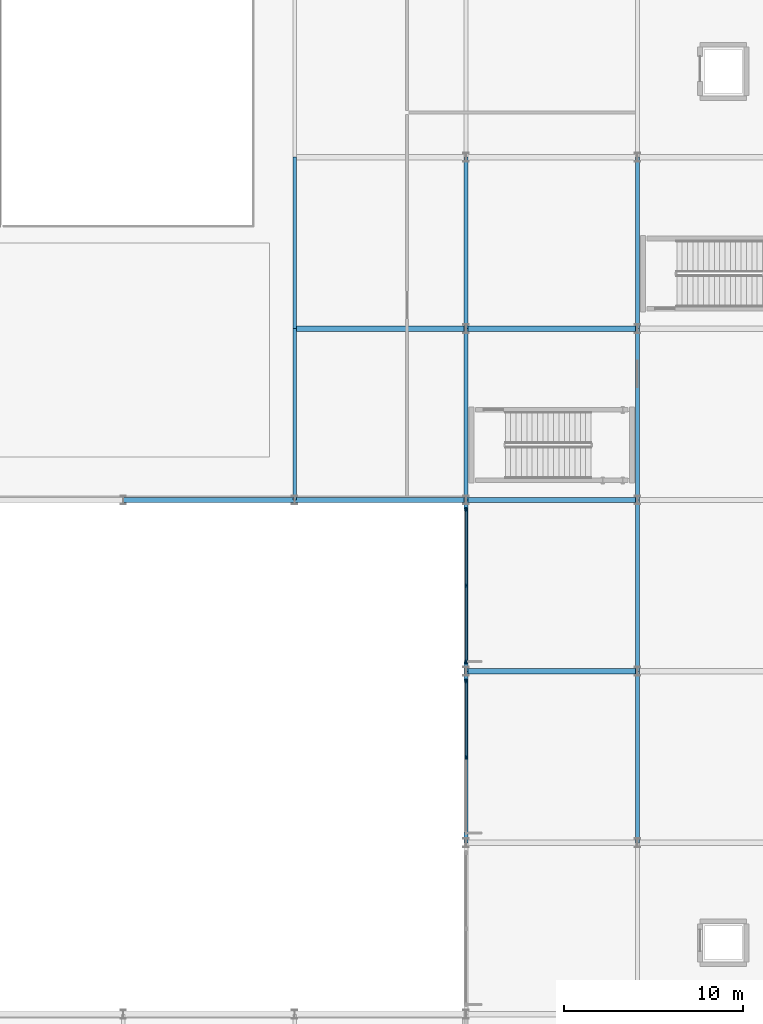
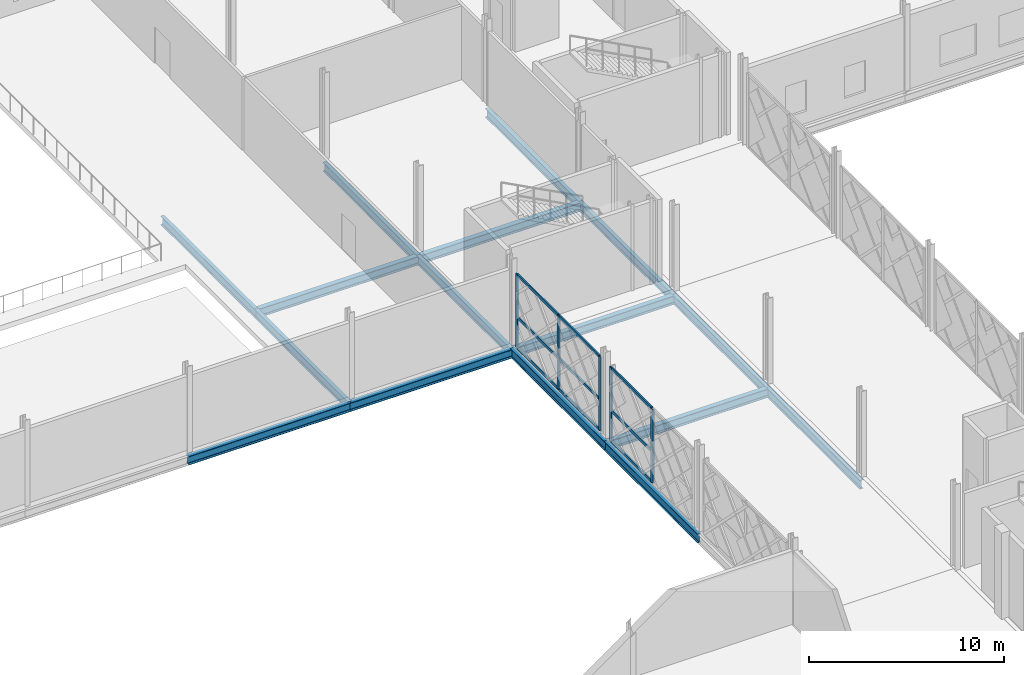
# One storey, part 35 of 84: 16 beams, 14 members, 2 elements without a shape of their own.
"""IFC4 building model written with IfcOpenShell, lengths in metres."""

from ifc_helpers import new_model, si_unit, direction, frame, origin, origin_2d, place, context, subcontext, project, spatial, rectangle, i_section, extrude, material, layer, layer_set, material_profile, profile_set, type_object, element, aggregate, save


model = new_model("IFC4")

# Units and contexts
model_context = context("Model", 3, precision=1e-05, world=origin(), true_north=direction((0.0, 1.0)))
body_context = subcontext(model_context, "Body", "Model", "MODEL_VIEW")
ifc_project = project(units=[si_unit("LENGTHUNIT", "METRE"), si_unit("AREAUNIT", "SQUARE_METRE"), si_unit("VOLUMEUNIT", "CUBIC_METRE"), si_unit("PLANEANGLEUNIT", "RADIAN"), si_unit("MASSUNIT", "GRAM", prefix="KILO")], contexts=[model_context])

# Site, building, storey
site_placement = place(None, origin())
site = spatial("IfcSite", under=ifc_project, at=site_placement, CompositionType="ELEMENT")
building_placement = place(site_placement, origin())
building = spatial("IfcBuilding", under=site, at=building_placement, Name="Zevrakil Square Congress Hotel", CompositionType="ELEMENT")
storey_placement = place(building_placement, origin())
storey = spatial("IfcBuildingStorey", under=building, at=storey_placement, Name="L01", CompositionType="ELEMENT", Elevation=0.0)

# Beams
ifc_material_1 = material(Name="Steel S355", Category="steel")
ifc_material_profile_1 = material_profile(ifc_material_1, i_section(OverallWidth=0.300048828125, OverallDepth=0.5400390625, WebThickness=0.012451171875, FlangeThickness=0.02392578125, FilletRadius=0.027099609375, at=origin_2d()), Name="HEA 550")
ifc_profile_set_1 = profile_set([ifc_material_profile_1], Name="Steel S355")
beam_type_1 = type_object("IfcBeamType", Name="BM-HEA550", PredefinedType="BEAM", material=ifc_profile_set_1)
beam_1_placement = place(storey_placement, frame((45.60009765625, 64.800048828125, -0.590087890625), z_axis=(1.0, 0.0, 0.0), x_axis=(0.0, 1.0, 0.0)))
element("IfcBeam", 1, at=beam_1_placement, inside=storey, type_object=beam_type_1, Name="L01 primary girder BX-0370", PredefinedType="BEAM", context=body_context, shape_type="SweptSolid", body=[
    extrude(i_section(OverallWidth=0.300048828125, OverallDepth=0.5400390625, WebThickness=0.012451171875, FlangeThickness=0.02392578125, FilletRadius=0.027099609375, at=origin_2d()), origin(), (0.0, 0.0, 1.0), 9.599853515625),
])
for number, where, z_axis, x_axis, name in (
    (2, (26.39990234375, 74.39990234375, -0.590087890625), (1.0, 0.0, 0.0), (0.0, 1.0, 0.0), "L01 primary girder BX-0382"),
    (3, (36.0, 74.39990234375, -0.590087890625), (1.0, 0.0, 0.0), (0.0, 1.0, 0.0), "L01 primary girder BX-0383"),
):
    element("IfcBeam", number, at=place(storey_placement, frame(where, z_axis=z_axis, x_axis=x_axis)), inside=storey, type_object=beam_type_1, Name=name, PredefinedType="BEAM", context=body_context, shape_type="SweptSolid", body=[
        extrude(i_section(OverallWidth=0.300048828125, OverallDepth=0.5400390625, WebThickness=0.012451171875, FlangeThickness=0.02392578125, FilletRadius=0.027099609375, at=origin_2d()), origin(), (0.0, 0.0, 1.0), 9.60009765625),
    ])
beam_2_placement = place(storey_placement, frame((45.60009765625, 74.39990234375, -0.590087890625), z_axis=(1.0, 0.0, 0.0), x_axis=(0.0, 1.0, 0.0)))
element("IfcBeam", 4, at=beam_2_placement, inside=storey, type_object=beam_type_1, Name="L01 primary girder BX-0384", PredefinedType="BEAM", context=body_context, shape_type="SweptSolid", body=[
    extrude(i_section(OverallWidth=0.300048828125, OverallDepth=0.5400390625, WebThickness=0.012451171875, FlangeThickness=0.02392578125, FilletRadius=0.027099609375, at=origin_2d()), origin(), (0.0, 0.0, 1.0), 9.599853515625),
])
beam_3_placement = place(storey_placement, frame((36.0, 84.0, -0.590087890625), z_axis=(1.0, 0.0, 0.0), x_axis=(0.0, 1.0, 0.0)))
element("IfcBeam", 5, at=beam_3_placement, inside=storey, type_object=beam_type_1, Name="L01 primary girder BX-0389", PredefinedType="BEAM", context=body_context, shape_type="SweptSolid", body=[
    extrude(i_section(OverallWidth=0.300048828125, OverallDepth=0.5400390625, WebThickness=0.012451171875, FlangeThickness=0.02392578125, FilletRadius=0.027099609375, at=origin_2d()), origin(), (0.0, 0.0, 1.0), 9.60009765625),
])
beam_4_placement = place(storey_placement, frame((45.60009765625, 84.0, -0.590087890625), z_axis=(1.0, 0.0, 0.0), x_axis=(0.0, 1.0, 0.0)))
element("IfcBeam", 6, at=beam_4_placement, inside=storey, type_object=beam_type_1, Name="L01 primary girder BX-0390", PredefinedType="BEAM", context=body_context, shape_type="SweptSolid", body=[
    extrude(i_section(OverallWidth=0.300048828125, OverallDepth=0.5400390625, WebThickness=0.012451171875, FlangeThickness=0.02392578125, FilletRadius=0.027099609375, at=origin_2d()), origin(), (0.0, 0.0, 1.0), 9.599853515625),
])
ifc_material_2 = material(Name="Steel S355", Category="steel")
ifc_material_profile_2 = material_profile(ifc_material_2, i_section(OverallWidth=0.2099609375, OverallDepth=0.550048828125, WebThickness=0.010986328125, FlangeThickness=0.01708984375, FilletRadius=0.02392578125, at=origin_2d()), Name="IPE 550")
ifc_profile_set_2 = profile_set([ifc_material_profile_2], Name="Steel S355")
beam_type_2 = type_object("IfcBeamType", Name="BM-IPE550", PredefinedType="BEAM", material=ifc_profile_set_2)
for number, where, z_axis, x_axis, name in (
    (7, (36.0, 74.39990234375, -0.594970703125), (0.0, 1.0, 0.0), (-1.0, 0.0, 0.0), "L01 primary girder BY-0500"),
    (8, (36.0, 84.0, -0.594970703125), (0.0, 1.0, 0.0), (-1.0, 0.0, 0.0), "L01 primary girder BY-0501"),
    (9, (45.60009765625, 55.199951171875, -0.594970703125), (0.0, 1.0, 0.0), (-1.0, 0.0, 0.0), "L01 primary girder BY-0511"),
):
    element("IfcBeam", number, at=place(storey_placement, frame(where, z_axis=z_axis, x_axis=x_axis)), inside=storey, type_object=beam_type_2, Name=name, PredefinedType="BEAM", context=body_context, shape_type="SweptSolid", body=[
        extrude(i_section(OverallWidth=0.2099609375, OverallDepth=0.550048828125, WebThickness=0.010986328125, FlangeThickness=0.01708984375, FilletRadius=0.02392578125, at=origin_2d()), origin(), (0.0, 0.0, 1.0), 9.60009765625),
    ])
beam_5_placement = place(storey_placement, frame((45.60009765625, 64.800048828125, -0.594970703125), z_axis=(0.0, 1.0, 0.0), x_axis=(-1.0, 0.0, 0.0)))
element("IfcBeam", 10, at=beam_5_placement, inside=storey, type_object=beam_type_2, Name="L01 primary girder BY-0512", PredefinedType="BEAM", context=body_context, shape_type="SweptSolid", body=[
    extrude(i_section(OverallWidth=0.2099609375, OverallDepth=0.550048828125, WebThickness=0.010986328125, FlangeThickness=0.01708984375, FilletRadius=0.02392578125, at=origin_2d()), origin(), (0.0, 0.0, 1.0), 9.599853515625),
])
for number, where, z_axis, x_axis, name in (
    (11, (45.60009765625, 74.39990234375, -0.594970703125), (0.0, 1.0, 0.0), (-1.0, 0.0, 0.0), "L01 primary girder BY-0513"),
    (12, (45.60009765625, 84.0, -0.594970703125), (0.0, 1.0, 0.0), (-1.0, 0.0, 0.0), "L01 primary girder BY-0514"),
    (13, (55.199951171875, 55.199951171875, -0.594970703125), (0.0, 1.0, 0.0), (-1.0, 0.0, 0.0), "L01 primary girder BY-0528"),
):
    element("IfcBeam", number, at=place(storey_placement, frame(where, z_axis=z_axis, x_axis=x_axis)), inside=storey, type_object=beam_type_2, Name=name, PredefinedType="BEAM", context=body_context, shape_type="SweptSolid", body=[
        extrude(i_section(OverallWidth=0.2099609375, OverallDepth=0.550048828125, WebThickness=0.010986328125, FlangeThickness=0.01708984375, FilletRadius=0.02392578125, at=origin_2d()), origin(), (0.0, 0.0, 1.0), 9.60009765625),
    ])
beam_6_placement = place(storey_placement, frame((55.199951171875, 64.800048828125, -0.594970703125), z_axis=(0.0, 1.0, 0.0), x_axis=(-1.0, 0.0, 0.0)))
element("IfcBeam", 14, at=beam_6_placement, inside=storey, type_object=beam_type_2, Name="L01 primary girder BY-0529", PredefinedType="BEAM", context=body_context, shape_type="SweptSolid", body=[
    extrude(i_section(OverallWidth=0.2099609375, OverallDepth=0.550048828125, WebThickness=0.010986328125, FlangeThickness=0.01708984375, FilletRadius=0.02392578125, at=origin_2d()), origin(), (0.0, 0.0, 1.0), 9.599853515625),
])
for number, where, z_axis, x_axis, name in (
    (15, (55.199951171875, 74.39990234375, -0.594970703125), (0.0, 1.0, 0.0), (-1.0, 0.0, 0.0), "L01 primary girder BY-0530"),
    (16, (55.199951171875, 84.0, -0.594970703125), (0.0, 1.0, 0.0), (-1.0, 0.0, 0.0), "L01 primary girder BY-0531"),
):
    element("IfcBeam", number, at=place(storey_placement, frame(where, z_axis=z_axis, x_axis=x_axis)), inside=storey, type_object=beam_type_2, Name=name, PredefinedType="BEAM", context=body_context, shape_type="SweptSolid", body=[
        extrude(i_section(OverallWidth=0.2099609375, OverallDepth=0.550048828125, WebThickness=0.010986328125, FlangeThickness=0.01708984375, FilletRadius=0.02392578125, at=origin_2d()), origin(), (0.0, 0.0, 1.0), 9.60009765625),
    ])

# Curtain wall, members
ifc_material_3 = material(Name="Aluminium Anodised Bronze", Category="aluminium")
ifc_layer = layer(ifc_material_3, 0.179931640625)
ifc_layer_set = layer_set([ifc_layer], Name="Aluminium Anodised Bronze")
curtain_wall_type = type_object("IfcCurtainWallType", Name="CW-L01-840", PredefinedType="USERDEFINED", material=ifc_layer_set)
curtain_wall_1_placement = place(storey_placement, origin())
curtain_wall_1 = element("IfcCurtainWall", 17, at=curtain_wall_1_placement, inside=storey, type_object=curtain_wall_type, Name="L01 diamond curtain wall CW-L01-0024", ObjectType="GLAZED CURTAIN WALL", PredefinedType="USERDEFINED")
ifc_material_4 = material(Name="Aluminium Anodised Bronze", Category="aluminium")
ifc_material_profile_3 = material_profile(ifc_material_4, rectangle(XDim=0.0849609375, YDim=0.179931640625, at=origin_2d()), Name="ALU 85x180")
ifc_profile_set_3 = profile_set([ifc_material_profile_3], Name="Aluminium Anodised Bronze")
member_type_1 = type_object("IfcMemberType", Name="CWM-ALU85x180", PredefinedType="USERDEFINED", material=ifc_profile_set_3)
member_1_placement = place(storey_placement, frame((45.60009765625, 60.030029296875, 0.030029296875), z_axis=(0.0, 1.0, 0.0), x_axis=(-1.0, 0.0, 0.0)))
member_1 = element("IfcMember", 18, at=member_1_placement, type_object=member_type_1, Name="CW-11 transom 2.1", ObjectType="TRANSOM", PredefinedType="USERDEFINED", context=body_context, shape_type="SweptSolid", body=[
    extrude(rectangle(XDim=0.0849609375, YDim=0.179931640625, at=origin_2d()), origin(), (0.0, 0.0, 1.0), 4.18994140625),
])
member_2_placement = place(storey_placement, frame((45.60009765625, 60.030029296875, 1.9423828125), z_axis=(0.0, 1.0, 0.0), x_axis=(-1.0, 0.0, 0.0)))
member_2 = element("IfcMember", 19, at=member_2_placement, type_object=member_type_1, Name="CW-11 transom 2.2", ObjectType="TRANSOM", PredefinedType="USERDEFINED", context=body_context, shape_type="SweptSolid", body=[
    extrude(rectangle(XDim=0.0849609375, YDim=0.179931640625, at=origin_2d()), origin(), (0.0, 0.0, 1.0), 4.18994140625),
])
member_3_placement = place(storey_placement, frame((45.60009765625, 60.030029296875, 4.594970703125), z_axis=(0.0, 1.0, 0.0), x_axis=(-1.0, 0.0, 0.0)))
member_3 = element("IfcMember", 20, at=member_3_placement, type_object=member_type_1, Name="CW-11 transom 2.3", ObjectType="TRANSOM", PredefinedType="USERDEFINED", context=body_context, shape_type="SweptSolid", body=[
    extrude(rectangle(XDim=0.0849609375, YDim=0.179931640625, at=origin_2d()), origin(), (0.0, 0.0, 1.0), 4.18994140625),
])

curtain_wall_2_placement = place(storey_placement, origin())
curtain_wall_2 = element("IfcCurtainWall", 21, at=curtain_wall_2_placement, inside=storey, type_object=curtain_wall_type, Name="L01 diamond curtain wall CW-L01-0026", ObjectType="GLAZED CURTAIN WALL", PredefinedType="USERDEFINED")
member_4_placement = place(storey_placement, frame((45.60009765625, 65.3798828125, 0.030029296875), z_axis=(0.0, 1.0, 0.0), x_axis=(-1.0, 0.0, 0.0)))
member_4 = element("IfcMember", 22, at=member_4_placement, type_object=member_type_1, Name="CW-11 transom 1.1", ObjectType="TRANSOM", PredefinedType="USERDEFINED", context=body_context, shape_type="SweptSolid", body=[
    extrude(rectangle(XDim=0.0849609375, YDim=0.179931640625, at=origin_2d()), origin(), (0.0, 0.0, 1.0), 4.190185546875),
])
member_5_placement = place(storey_placement, frame((45.60009765625, 65.3798828125, 1.9423828125), z_axis=(0.0, 1.0, 0.0), x_axis=(-1.0, 0.0, 0.0)))
member_5 = element("IfcMember", 23, at=member_5_placement, type_object=member_type_1, Name="CW-11 transom 1.2", ObjectType="TRANSOM", PredefinedType="USERDEFINED", context=body_context, shape_type="SweptSolid", body=[
    extrude(rectangle(XDim=0.0849609375, YDim=0.179931640625, at=origin_2d()), origin(), (0.0, 0.0, 1.0), 4.190185546875),
])
member_6_placement = place(storey_placement, frame((45.60009765625, 65.3798828125, 4.594970703125), z_axis=(0.0, 1.0, 0.0), x_axis=(-1.0, 0.0, 0.0)))
member_6 = element("IfcMember", 24, at=member_6_placement, type_object=member_type_1, Name="CW-11 transom 1.3", ObjectType="TRANSOM", PredefinedType="USERDEFINED", context=body_context, shape_type="SweptSolid", body=[
    extrude(rectangle(XDim=0.0849609375, YDim=0.179931640625, at=origin_2d()), origin(), (0.0, 0.0, 1.0), 4.190185546875),
])
member_7_placement = place(storey_placement, frame((45.60009765625, 69.6298828125, 0.030029296875), z_axis=(0.0, 1.0, 0.0), x_axis=(-1.0, 0.0, 0.0)))
member_7 = element("IfcMember", 25, at=member_7_placement, type_object=member_type_1, Name="CW-11 transom 2.1", ObjectType="TRANSOM", PredefinedType="USERDEFINED", context=body_context, shape_type="SweptSolid", body=[
    extrude(rectangle(XDim=0.0849609375, YDim=0.179931640625, at=origin_2d()), origin(), (0.0, 0.0, 1.0), 4.190185546875),
])
member_8_placement = place(storey_placement, frame((45.60009765625, 69.6298828125, 1.9423828125), z_axis=(0.0, 1.0, 0.0), x_axis=(-1.0, 0.0, 0.0)))
member_8 = element("IfcMember", 26, at=member_8_placement, type_object=member_type_1, Name="CW-11 transom 2.2", ObjectType="TRANSOM", PredefinedType="USERDEFINED", context=body_context, shape_type="SweptSolid", body=[
    extrude(rectangle(XDim=0.0849609375, YDim=0.179931640625, at=origin_2d()), origin(), (0.0, 0.0, 1.0), 4.190185546875),
])
member_9_placement = place(storey_placement, frame((45.60009765625, 69.6298828125, 4.594970703125), z_axis=(0.0, 1.0, 0.0), x_axis=(-1.0, 0.0, 0.0)))
member_9 = element("IfcMember", 27, at=member_9_placement, type_object=member_type_1, Name="CW-11 transom 2.3", ObjectType="TRANSOM", PredefinedType="USERDEFINED", context=body_context, shape_type="SweptSolid", body=[
    extrude(rectangle(XDim=0.0849609375, YDim=0.179931640625, at=origin_2d()), origin(), (0.0, 0.0, 1.0), 4.190185546875),
])

# Member
ifc_material_5 = material(Name="Aluminium Anodised Bronze", Category="aluminium")
ifc_material_profile_4 = material_profile(ifc_material_5, rectangle(XDim=0.0849609375, YDim=0.219970703125, at=origin_2d()), Name="ALU 85x220")
ifc_profile_set_4 = profile_set([ifc_material_profile_4], Name="Aluminium Anodised Bronze")
member_type_2 = type_object("IfcMemberType", Name="CWM-ALU85x220", PredefinedType="MULLION", material=ifc_profile_set_4)
member_10_placement = place(storey_placement, frame((45.60009765625, 60.0, 0.0), z_axis=(0.0, 0.0, 1.0), x_axis=(-1.0, 0.0, 0.0)))
member_10 = element("IfcMember", 28, at=member_10_placement, type_object=member_type_2, Name="CW-11 mullion 2", PredefinedType="MULLION", context=body_context, shape_type="SweptSolid", body=[
    extrude(rectangle(XDim=0.0849609375, YDim=0.219970703125, at=origin_2d()), origin(), (0.0, 0.0, 1.0), 4.625),
])

member_11_placement = place(storey_placement, frame((45.60009765625, 64.25, 0.0), z_axis=(0.0, 0.0, 1.0), x_axis=(-1.0, 0.0, 0.0)))
member_11 = element("IfcMember", 29, at=member_11_placement, type_object=member_type_2, Name="CW-11 mullion 3", PredefinedType="MULLION", context=body_context, shape_type="SweptSolid", body=[
    extrude(rectangle(XDim=0.0849609375, YDim=0.219970703125, at=origin_2d()), origin(), (0.0, 0.0, 1.0), 4.625),
])

aggregate(curtain_wall_1, [member_10, member_11, member_1, member_2, member_3])

member_12_placement = place(storey_placement, frame((45.60009765625, 65.35009765625, 0.0), z_axis=(0.0, 0.0, 1.0), x_axis=(-1.0, 0.0, 0.0)))
member_12 = element("IfcMember", 30, at=member_12_placement, type_object=member_type_2, Name="CW-11 mullion 1", PredefinedType="MULLION", context=body_context, shape_type="SweptSolid", body=[
    extrude(rectangle(XDim=0.0849609375, YDim=0.219970703125, at=origin_2d()), origin(), (0.0, 0.0, 1.0), 4.625),
])

member_13_placement = place(storey_placement, frame((45.60009765625, 69.60009765625, 0.0), z_axis=(0.0, 0.0, 1.0), x_axis=(-1.0, 0.0, 0.0)))
member_13 = element("IfcMember", 31, at=member_13_placement, type_object=member_type_2, Name="CW-11 mullion 2", PredefinedType="MULLION", context=body_context, shape_type="SweptSolid", body=[
    extrude(rectangle(XDim=0.0849609375, YDim=0.219970703125, at=origin_2d()), origin(), (0.0, 0.0, 1.0), 4.625),
])

member_14_placement = place(storey_placement, frame((45.60009765625, 73.85009765625, 0.0), z_axis=(0.0, 0.0, 1.0), x_axis=(-1.0, 0.0, 0.0)))
member_14 = element("IfcMember", 32, at=member_14_placement, type_object=member_type_2, Name="CW-11 mullion 3", PredefinedType="MULLION", context=body_context, shape_type="SweptSolid", body=[
    extrude(rectangle(XDim=0.0849609375, YDim=0.219970703125, at=origin_2d()), origin(), (0.0, 0.0, 1.0), 4.625),
])

aggregate(curtain_wall_2, [member_12, member_13, member_14, member_4, member_5, member_6, member_7, member_8, member_9])

save(model, "model.ifc")
